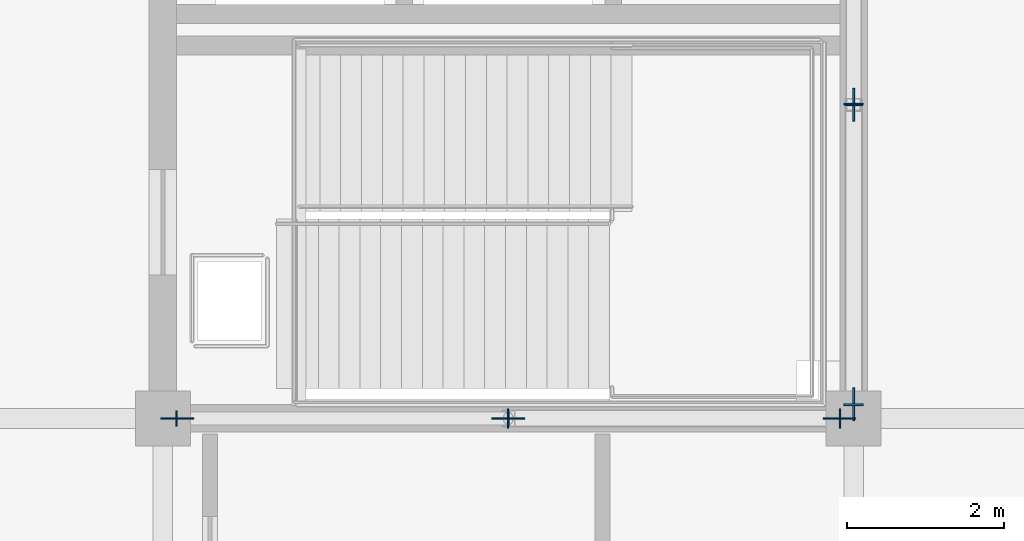
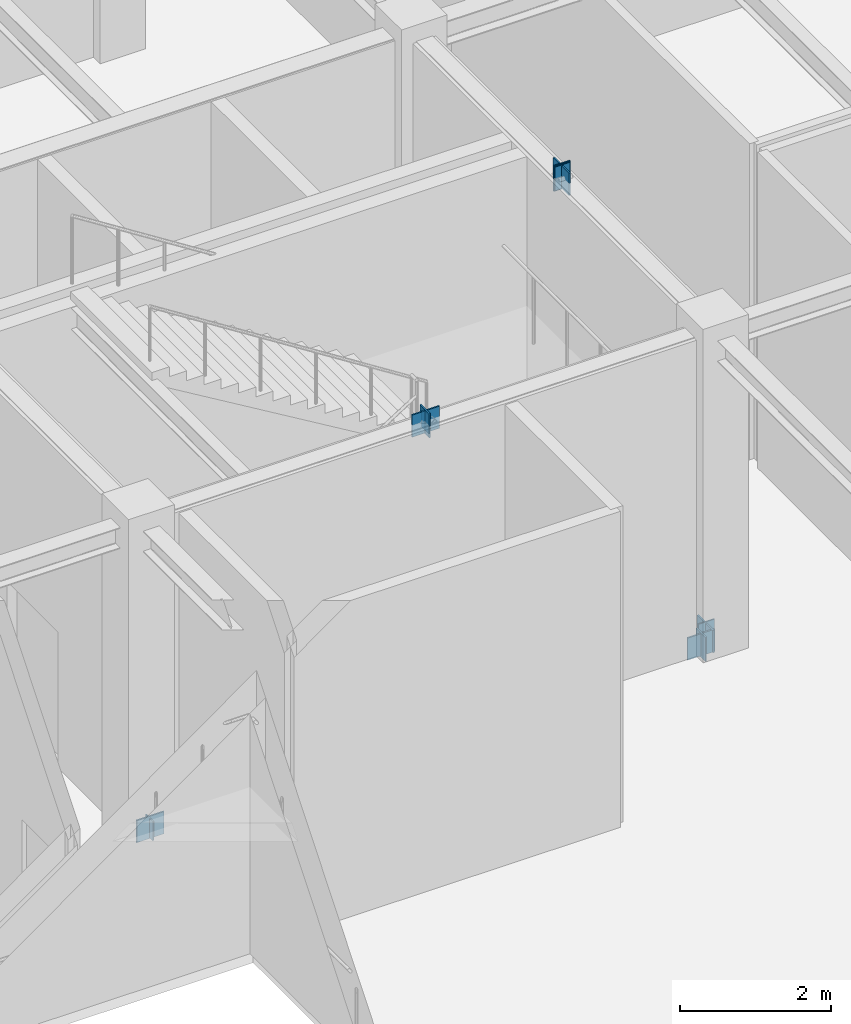
# One storey, part 72 of 108: 12 plates.
"""IFC4 building model written with IfcOpenShell, lengths in metres."""

from ifc_helpers import new_model, si_unit, direction, frame, origin, origin_2d, place, context, subcontext, project, spatial, rectangle, extrude, material, layer, layer_set, type_object, element, save


model = new_model("IFC4")

# Units and contexts
model_context = context("Model", 3, precision=1e-05, world=origin(), true_north=direction((0.0, 1.0)))
body_context = subcontext(model_context, "Body", "Model", "MODEL_VIEW")
ifc_project = project(units=[si_unit("LENGTHUNIT", "METRE"), si_unit("AREAUNIT", "SQUARE_METRE"), si_unit("VOLUMEUNIT", "CUBIC_METRE"), si_unit("PLANEANGLEUNIT", "RADIAN"), si_unit("MASSUNIT", "GRAM", prefix="KILO")], contexts=[model_context])

# Site, building, storey
site_placement = place(None, origin())
site = spatial("IfcSite", under=ifc_project, at=site_placement, CompositionType="ELEMENT")
building_placement = place(site_placement, origin())
building = spatial("IfcBuilding", under=site, at=building_placement, Name="Zhaolan Boulevard Law Courts", CompositionType="ELEMENT")
storey_placement = place(building_placement, frame((0.0, 0.0, 10.800048828125)))
storey = spatial("IfcBuildingStorey", under=building, at=storey_placement, Name="L02", CompositionType="ELEMENT", Elevation=10.800048828125)

# Plates
ifc_material_1 = material(Name="Structural steel Q355B", Category="steel")
ifc_layer_1 = layer(ifc_material_1, 0.02392578125)
ifc_layer_set_1 = layer_set([ifc_layer_1])
plate_type_1 = type_object("IfcPlateType", Name="BRACE GUSSET PLATE 24", PredefinedType="SHEET", material=ifc_layer_set_1)
for number, where, z_axis, x_axis, name in (
    (1, (17.780029296875, 46.0, -0.14990234375), (0.0, 0.0, 1.0), (1.0, 0.0, 0.0), "Brace Gusset Connection Plate GP-W1-L02-SA1"),
    (2, (26.219970703125, 46.0, -0.14990234375), (0.0, 0.0, 1.0), (1.0, 0.0, 0.0), "Brace Gusset Connection Plate GP-W1-L02-SA2"),
    (3, (22.0, 46.0, 4.93994140625), (0.0, 0.0, 1.0), (1.0, 0.0, 0.0), "Brace Gusset Connection Plate GP-W1-L02-SAPX"),
    (4, (26.39990234375, 46.179931640625, -0.14990234375), (0.0, 0.0, 1.0), (0.0, 1.0, 0.0), "Brace Gusset Connection Plate GP-W1-L02-EA1"),
    (5, (26.39990234375, 50.0, 4.93994140625), (0.0, 0.0, 1.0), (0.0, 1.0, 0.0), "Brace Gusset Connection Plate GP-W1-L02-EAPX"),
):
    element("IfcPlate", number, at=place(storey_placement, frame(where, z_axis=z_axis, x_axis=x_axis)), inside=storey, type_object=plate_type_1, Name=name, PredefinedType="SHEET", context=body_context, shape_type="SweptSolid", body=[
        extrude(rectangle(XDim=0.419921875, YDim=0.02392578125, at=origin_2d()), origin(), (0.0, 0.0, 1.0), 0.360107421875),
    ])
ifc_material_2 = material(Name="Structural steel Q355B", Category="steel")
ifc_layer_2 = layer(ifc_material_2, 0.02001953125)
ifc_layer_set_2 = layer_set([ifc_layer_2])
plate_type_2 = type_object("IfcPlateType", Name="END CAP PLATE 20", PredefinedType="SHEET", material=ifc_layer_set_2)
for number, where, z_axis, x_axis, name in (
    (6, (17.77490234375, 46.0, -0.13134765625), (0.0, 0.0, 1.0), (1.0, 0.0, 0.0), "Hollow Section End-Cap Plate ECP-1071"),
    (7, (22.005126953125, 46.0, 4.97119140625), (0.0, 0.0, 1.0), (1.0, 0.0, 0.0), "Hollow Section End-Cap Plate ECP-1072"),
):
    element("IfcPlate", number, at=place(storey_placement, frame(where, z_axis=z_axis, x_axis=x_axis)), inside=storey, type_object=plate_type_2, Name=name, PredefinedType="SHEET", context=body_context, shape_type="SweptSolid", body=[
        extrude(rectangle(XDim=0.02001953125, YDim=0.197998046875, at=origin_2d()), origin(), (0.0, 0.0, 1.0), 0.31005859375),
    ])
for number, where, z_axis, x_axis, name in (
    (8, (26.22509765625, 46.0, -0.17236328125), (0.0, 0.0, 1.0), (-1.0, 0.0, 0.0), "Hollow Section End-Cap Plate ECP-1073"),
    (9, (21.994873046875, 46.0, 4.93017578125), (0.0, 0.0, 1.0), (-1.0, 0.0, 0.0), "Hollow Section End-Cap Plate ECP-1074"),
):
    element("IfcPlate", number, at=place(storey_placement, frame(where, z_axis=z_axis, x_axis=x_axis)), inside=storey, type_object=plate_type_2, Name=name, PredefinedType="SHEET", context=body_context, shape_type="SweptSolid", body=[
        extrude(rectangle(XDim=0.02001953125, YDim=0.25, at=origin_2d()), origin(), (0.0, 0.0, 1.0), 0.39208984375),
    ])
for number, where, z_axis, x_axis, name in (
    (10, (26.39990234375, 46.17529296875, -0.1845703125), (0.0, 0.0, 1.0), (0.0, 1.0, 0.0), "Hollow Section End-Cap Plate ECP-1075"),
    (11, (26.39990234375, 50.0048828125, 4.91845703125), (0.0, 0.0, 1.0), (0.0, 1.0, 0.0), "Hollow Section End-Cap Plate ECP-1076"),
):
    element("IfcPlate", number, at=place(storey_placement, frame(where, z_axis=z_axis, x_axis=x_axis)), inside=storey, type_object=plate_type_2, Name=name, PredefinedType="SHEET", context=body_context, shape_type="SweptSolid", body=[
        extrude(rectangle(XDim=0.02001953125, YDim=0.25, at=origin_2d()), origin(), (0.0, 0.0, 1.0), 0.416015625),
    ])
plate_placement = place(storey_placement, frame((26.39990234375, 49.9951171875, 4.93505859375), z_axis=(0.0, 0.0, 1.0), x_axis=(0.0, -1.0, 0.0)))
element("IfcPlate", 12, at=plate_placement, inside=storey, type_object=plate_type_2, Name="Hollow Section End-Cap Plate ECP-1078", PredefinedType="SHEET", context=body_context, shape_type="SweptSolid", body=[
    extrude(rectangle(XDim=0.02001953125, YDim=0.22998046875, at=origin_2d()), origin(), (0.0, 0.0, 1.0), 0.383056640625),
])

save(model, "model.ifc")
